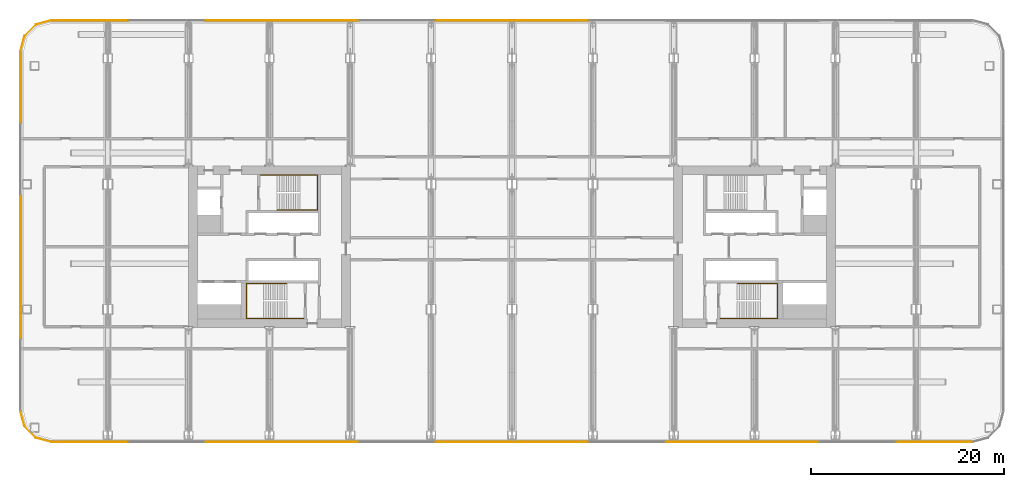
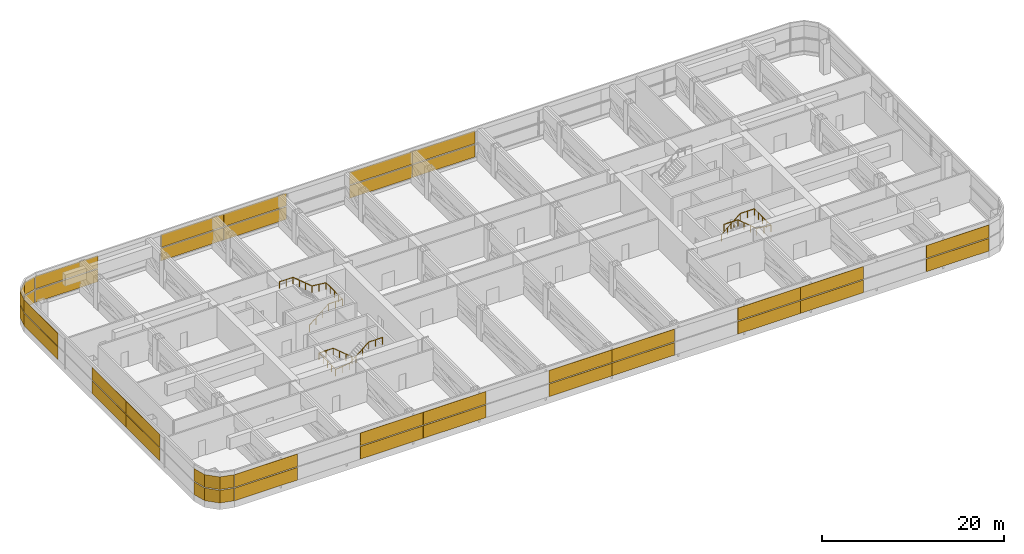
# One storey, part 29 of 30: 36 shading devices, 3 railings, 5 elements without a shape of their own.
"""IFC4 building model written with IfcOpenShell, lengths in metres."""

from ifc_helpers import new_model, si_unit, direction, frame, origin, origin_2d, place, context, subcontext, project, spatial, polyline, rectangle, circle, outline, extrude, material, layer, layer_set, type_object, element, aggregate, save


model = new_model("IFC4")

# Units and contexts
model_context = context("Model", 3, precision=1e-05, world=origin(), true_north=direction((0.0, 1.0)))
body_context = subcontext(model_context, "Body", "Model", "MODEL_VIEW")
ifc_project = project(units=[si_unit("LENGTHUNIT", "METRE"), si_unit("AREAUNIT", "SQUARE_METRE"), si_unit("VOLUMEUNIT", "CUBIC_METRE"), si_unit("PLANEANGLEUNIT", "RADIAN"), si_unit("MASSUNIT", "GRAM", prefix="KILO")], contexts=[model_context])

# Site, building, storey
site_placement = place(None, origin())
site = spatial("IfcSite", under=ifc_project, at=site_placement, CompositionType="ELEMENT")
building_placement = place(site_placement, origin())
building = spatial("IfcBuilding", under=site, at=building_placement, Name="Hakoniwa Tower and Hamabe Station Hall", CompositionType="ELEMENT")
storey_placement = place(building_placement, frame((0.0, 0.0, 64.60009765625)))
storey = spatial("IfcBuildingStorey", under=building, at=storey_placement, Name="L18", CompositionType="ELEMENT", Elevation=64.60009765625)

# Curtain wall, shading devices
ifc_material_1 = material(Name="Dark low-e laminated glass", Category="glass")
ifc_layer_1 = layer(ifc_material_1, 0.199951171875)
ifc_layer_set_1 = layer_set([ifc_layer_1], Name="CW-6 PLANT LOUVRE")
curtain_wall_type = type_object("IfcCurtainWallType", Name="CW-6 PLANT LOUVRE", PredefinedType="NOTDEFINED", material=ifc_layer_set_1)
curtain_wall_1_placement = place(storey_placement, origin())
curtain_wall_1 = element("IfcCurtainWall", 1, at=curtain_wall_1_placement, inside=storey, type_object=curtain_wall_type, Name="CW-6 curtain wall", PredefinedType="NOTDEFINED")
ifc_material_2 = material(Name="Aluminium 6063-T5 black anodised louvre", Category="aluminium")
ifc_layer_2 = layer(ifc_material_2, 0.06005859375)
ifc_layer_set_2 = layer_set([ifc_layer_2], Name="CW-6 LOUVRE UNIT")
shading_device_type = type_object("IfcShadingDeviceType", Name="CW-6 LOUVRE UNIT", PredefinedType="JALOUSIE", material=ifc_layer_set_2)
shading_device_1_placement = place(storey_placement, frame((3.986572265625, 23.535888671875, 0.349853515625), z_axis=(0.0, 0.0, 1.0), x_axis=(-1.0, 0.0, 0.0)))
shading_device_1 = element("IfcShadingDevice", 2, at=shading_device_1_placement, type_object=shading_device_type, Name="CW-6 louvre unit", PredefinedType="JALOUSIE", context=body_context, shape_type="SweptSolid", body=[
    extrude(rectangle(XDim=7.953369140625, YDim=0.06005859375, at=origin_2d()), origin(), (0.0, 0.0, 1.0), 1.68994140625),
])
shading_device_2_placement = place(storey_placement, frame((3.986572265625, 23.535888671875, 2.159912109375), z_axis=(0.0, 0.0, 1.0), x_axis=(-1.0, 0.0, 0.0)))
shading_device_2 = element("IfcShadingDevice", 3, at=shading_device_2_placement, type_object=shading_device_type, Name="CW-6 louvre unit", PredefinedType="JALOUSIE", context=body_context, shape_type="SweptSolid", body=[
    extrude(rectangle(XDim=7.953369140625, YDim=0.06005859375, at=origin_2d()), origin(), (0.0, 0.0, 1.0), 1.68994140625),
])
shading_device_3_placement = place(storey_placement, frame((-3.986572265625, 23.535888671875, 0.349853515625), z_axis=(0.0, 0.0, 1.0), x_axis=(-1.0, 0.0, 0.0)))
shading_device_3 = element("IfcShadingDevice", 4, at=shading_device_3_placement, type_object=shading_device_type, Name="CW-6 louvre unit", PredefinedType="JALOUSIE", context=body_context, shape_type="SweptSolid", body=[
    extrude(rectangle(XDim=7.953369140625, YDim=0.06005859375, at=origin_2d()), origin(), (0.0, 0.0, 1.0), 1.68994140625),
])
shading_device_4_placement = place(storey_placement, frame((-3.986572265625, 23.535888671875, 2.159912109375), z_axis=(0.0, 0.0, 1.0), x_axis=(-1.0, 0.0, 0.0)))
shading_device_4 = element("IfcShadingDevice", 5, at=shading_device_4_placement, type_object=shading_device_type, Name="CW-6 louvre unit", PredefinedType="JALOUSIE", context=body_context, shape_type="SweptSolid", body=[
    extrude(rectangle(XDim=7.953369140625, YDim=0.06005859375, at=origin_2d()), origin(), (0.0, 0.0, 1.0), 1.68994140625),
])
shading_device_5_placement = place(storey_placement, frame((-19.93310546875, 23.535888671875, 0.349853515625), z_axis=(0.0, 0.0, 1.0), x_axis=(-1.0, 0.0, 0.0)))
shading_device_5 = element("IfcShadingDevice", 6, at=shading_device_5_placement, type_object=shading_device_type, Name="CW-6 louvre unit", PredefinedType="JALOUSIE", context=body_context, shape_type="SweptSolid", body=[
    extrude(rectangle(XDim=7.953369140625, YDim=0.06005859375, at=origin_2d()), origin(), (0.0, 0.0, 1.0), 1.68994140625),
])
shading_device_6_placement = place(storey_placement, frame((-19.93310546875, 23.535888671875, 2.159912109375), z_axis=(0.0, 0.0, 1.0), x_axis=(-1.0, 0.0, 0.0)))
shading_device_6 = element("IfcShadingDevice", 7, at=shading_device_6_placement, type_object=shading_device_type, Name="CW-6 louvre unit", PredefinedType="JALOUSIE", context=body_context, shape_type="SweptSolid", body=[
    extrude(rectangle(XDim=7.953369140625, YDim=0.06005859375, at=origin_2d()), origin(), (0.0, 0.0, 1.0), 1.68994140625),
])
shading_device_7_placement = place(storey_placement, frame((-27.906494140625, 23.535888671875, 0.349853515625), z_axis=(0.0, 0.0, 1.0), x_axis=(-1.0, 0.0, 0.0)))
shading_device_7 = element("IfcShadingDevice", 8, at=shading_device_7_placement, type_object=shading_device_type, Name="CW-6 louvre unit", PredefinedType="JALOUSIE", context=body_context, shape_type="SweptSolid", body=[
    extrude(rectangle(XDim=7.953369140625, YDim=0.06005859375, at=origin_2d()), origin(), (0.0, 0.0, 1.0), 1.68994140625),
])
shading_device_8_placement = place(storey_placement, frame((-27.906494140625, 23.535888671875, 2.159912109375), z_axis=(0.0, 0.0, 1.0), x_axis=(-1.0, 0.0, 0.0)))
shading_device_8 = element("IfcShadingDevice", 9, at=shading_device_8_placement, type_object=shading_device_type, Name="CW-6 louvre unit", PredefinedType="JALOUSIE", context=body_context, shape_type="SweptSolid", body=[
    extrude(rectangle(XDim=7.953369140625, YDim=0.06005859375, at=origin_2d()), origin(), (0.0, 0.0, 1.0), 1.68994140625),
])
shading_device_9_placement = place(storey_placement, frame((-43.852783203125, 23.535888671875, 0.349853515625), z_axis=(0.0, 0.0, 1.0), x_axis=(-1.0, 0.0, 0.0)))
shading_device_9 = element("IfcShadingDevice", 10, at=shading_device_9_placement, type_object=shading_device_type, Name="CW-6 louvre unit", PredefinedType="JALOUSIE", context=body_context, shape_type="SweptSolid", body=[
    extrude(rectangle(XDim=7.953369140625, YDim=0.06005859375, at=origin_2d()), origin(), (0.0, 0.0, 1.0), 1.68994140625),
])
shading_device_10_placement = place(storey_placement, frame((-43.852783203125, 23.535888671875, 2.159912109375), z_axis=(0.0, 0.0, 1.0), x_axis=(-1.0, 0.0, 0.0)))
shading_device_10 = element("IfcShadingDevice", 11, at=shading_device_10_placement, type_object=shading_device_type, Name="CW-6 louvre unit", PredefinedType="JALOUSIE", context=body_context, shape_type="SweptSolid", body=[
    extrude(rectangle(XDim=7.953369140625, YDim=0.06005859375, at=origin_2d()), origin(), (0.0, 0.0, 1.0), 1.68994140625),
])
aggregate(curtain_wall_1, [shading_device_1, shading_device_2, shading_device_3, shading_device_4, shading_device_5, shading_device_6, shading_device_7, shading_device_8, shading_device_9, shading_device_10])

curtain_wall_2_placement = place(storey_placement, origin())
curtain_wall_2 = element("IfcCurtainWall", 12, at=curtain_wall_2_placement, inside=storey, type_object=curtain_wall_type, Name="CW-6 curtain wall", PredefinedType="NOTDEFINED")
shading_device_11_placement = place(storey_placement, frame((0.0, 0.0, 0.349853515625)))
shading_device_11 = element("IfcShadingDevice", 13, at=shading_device_11_placement, type_object=shading_device_type, Name="CW-6 curved corner unit", PredefinedType="JALOUSIE", context=body_context, shape_type="SweptSolid", body=[
    extrude(outline(polyline([(-47.878173828125, 23.53955078125), (-49.455322265625, 23.116943359375), (-50.6669921875, 21.9052734375), (-51.089599609375, 20.328125), (-51.0625, 20.32080078125), (-50.641845703125, 21.890869140625), (-49.44091796875, 23.092041015625), (-47.870849609375, 23.5126953125), (-47.878173828125, 23.53955078125)])), origin(), (0.0, 0.0, 1.0), 1.68994140625),
])
shading_device_12_placement = place(storey_placement, frame((0.0, 0.0, 2.159912109375)))
shading_device_12 = element("IfcShadingDevice", 14, at=shading_device_12_placement, type_object=shading_device_type, Name="CW-6 curved corner unit", PredefinedType="JALOUSIE", context=body_context, shape_type="SweptSolid", body=[
    extrude(outline(polyline([(-47.878173828125, 23.53955078125), (-49.455322265625, 23.116943359375), (-50.6669921875, 21.9052734375), (-51.089599609375, 20.328125), (-51.0625, 20.32080078125), (-50.641845703125, 21.890869140625), (-49.44091796875, 23.092041015625), (-47.870849609375, 23.5126953125), (-47.878173828125, 23.53955078125)])), origin(), (0.0, 0.0, 1.0), 1.68994140625),
])
aggregate(curtain_wall_2, [shading_device_11, shading_device_12])

curtain_wall_3_placement = place(storey_placement, origin())
curtain_wall_3 = element("IfcCurtainWall", 15, at=curtain_wall_3_placement, inside=storey, type_object=curtain_wall_type, Name="CW-6 curtain wall", PredefinedType="NOTDEFINED")
shading_device_13_placement = place(storey_placement, frame((-51.0859375, 16.556640625, 0.349853515625), z_axis=(0.0, 0.0, 1.0), x_axis=(0.0, -1.0, 0.0)))
shading_device_13 = element("IfcShadingDevice", 16, at=shading_device_13_placement, type_object=shading_device_type, Name="CW-6 louvre unit", PredefinedType="JALOUSIE", context=body_context, shape_type="SweptSolid", body=[
    extrude(rectangle(XDim=7.44580078125, YDim=0.06005859375, at=origin_2d()), origin(), (0.0, 0.0, 1.0), 1.68994140625),
])
shading_device_14_placement = place(storey_placement, frame((-51.0859375, 16.556640625, 2.159912109375), z_axis=(0.0, 0.0, 1.0), x_axis=(0.0, -1.0, 0.0)))
shading_device_14 = element("IfcShadingDevice", 17, at=shading_device_14_placement, type_object=shading_device_type, Name="CW-6 louvre unit", PredefinedType="JALOUSIE", context=body_context, shape_type="SweptSolid", body=[
    extrude(rectangle(XDim=7.44580078125, YDim=0.06005859375, at=origin_2d()), origin(), (0.0, 0.0, 1.0), 1.68994140625),
])
shading_device_15_placement = place(storey_placement, frame((-51.0859375, 1.625, 0.349853515625), z_axis=(0.0, 0.0, 1.0), x_axis=(0.0, -1.0, 0.0)))
shading_device_15 = element("IfcShadingDevice", 18, at=shading_device_15_placement, type_object=shading_device_type, Name="CW-6 louvre unit", PredefinedType="JALOUSIE", context=body_context, shape_type="SweptSolid", body=[
    extrude(rectangle(XDim=7.44580078125, YDim=0.06005859375, at=origin_2d()), origin(), (0.0, 0.0, 1.0), 1.68994140625),
])
shading_device_16_placement = place(storey_placement, frame((-51.0859375, 1.625, 2.159912109375), z_axis=(0.0, 0.0, 1.0), x_axis=(0.0, -1.0, 0.0)))
shading_device_16 = element("IfcShadingDevice", 19, at=shading_device_16_placement, type_object=shading_device_type, Name="CW-6 louvre unit", PredefinedType="JALOUSIE", context=body_context, shape_type="SweptSolid", body=[
    extrude(rectangle(XDim=7.44580078125, YDim=0.06005859375, at=origin_2d()), origin(), (0.0, 0.0, 1.0), 1.68994140625),
])
shading_device_17_placement = place(storey_placement, frame((-51.0859375, -5.8408203125, 0.349853515625), z_axis=(0.0, 0.0, 1.0), x_axis=(0.0, -1.0, 0.0)))
shading_device_17 = element("IfcShadingDevice", 20, at=shading_device_17_placement, type_object=shading_device_type, Name="CW-6 louvre unit", PredefinedType="JALOUSIE", context=body_context, shape_type="SweptSolid", body=[
    extrude(rectangle(XDim=7.44580078125, YDim=0.06005859375, at=origin_2d()), origin(), (0.0, 0.0, 1.0), 1.68994140625),
])
shading_device_18_placement = place(storey_placement, frame((-51.0859375, -5.8408203125, 2.159912109375), z_axis=(0.0, 0.0, 1.0), x_axis=(0.0, -1.0, 0.0)))
shading_device_18 = element("IfcShadingDevice", 21, at=shading_device_18_placement, type_object=shading_device_type, Name="CW-6 louvre unit", PredefinedType="JALOUSIE", context=body_context, shape_type="SweptSolid", body=[
    extrude(rectangle(XDim=7.44580078125, YDim=0.06005859375, at=origin_2d()), origin(), (0.0, 0.0, 1.0), 1.68994140625),
])
aggregate(curtain_wall_3, [shading_device_13, shading_device_14, shading_device_15, shading_device_16, shading_device_17, shading_device_18])

curtain_wall_4_placement = place(storey_placement, origin())
curtain_wall_4 = element("IfcCurtainWall", 22, at=curtain_wall_4_placement, inside=storey, type_object=curtain_wall_type, Name="CW-6 curtain wall", PredefinedType="NOTDEFINED")
shading_device_19_placement = place(storey_placement, frame((0.0, 0.0, 0.349853515625)))
shading_device_19 = element("IfcShadingDevice", 23, at=shading_device_19_placement, type_object=shading_device_type, Name="CW-6 curved corner unit", PredefinedType="JALOUSIE", context=body_context, shape_type="SweptSolid", body=[
    extrude(outline(polyline([(-51.089599609375, -17.078125), (-50.6669921875, -18.6552734375), (-49.455322265625, -19.866943359375), (-47.878173828125, -20.28955078125), (-47.870849609375, -20.2626953125), (-49.44091796875, -19.842041015625), (-50.641845703125, -18.640869140625), (-51.0625, -17.07080078125), (-51.089599609375, -17.078125)])), origin(), (0.0, 0.0, 1.0), 1.68994140625),
])
shading_device_20_placement = place(storey_placement, frame((0.0, 0.0, 2.159912109375)))
shading_device_20 = element("IfcShadingDevice", 24, at=shading_device_20_placement, type_object=shading_device_type, Name="CW-6 curved corner unit", PredefinedType="JALOUSIE", context=body_context, shape_type="SweptSolid", body=[
    extrude(outline(polyline([(-51.089599609375, -17.078125), (-50.6669921875, -18.6552734375), (-49.455322265625, -19.866943359375), (-47.878173828125, -20.28955078125), (-47.870849609375, -20.2626953125), (-49.44091796875, -19.842041015625), (-50.641845703125, -18.640869140625), (-51.0625, -17.07080078125), (-51.089599609375, -17.078125)])), origin(), (0.0, 0.0, 1.0), 1.68994140625),
])
aggregate(curtain_wall_4, [shading_device_19, shading_device_20])

curtain_wall_5_placement = place(storey_placement, origin())
curtain_wall_5 = element("IfcCurtainWall", 25, at=curtain_wall_5_placement, inside=storey, type_object=curtain_wall_type, Name="CW-6 curtain wall", PredefinedType="NOTDEFINED")
shading_device_21_placement = place(storey_placement, frame((-43.852783203125, -20.285888671875, 0.349853515625), z_axis=(0.0, 0.0, 1.0), x_axis=(1.0, 0.0, 0.0)))
shading_device_21 = element("IfcShadingDevice", 26, at=shading_device_21_placement, type_object=shading_device_type, Name="CW-6 louvre unit", PredefinedType="JALOUSIE", context=body_context, shape_type="SweptSolid", body=[
    extrude(rectangle(XDim=7.953369140625, YDim=0.06005859375, at=origin_2d()), origin(), (0.0, 0.0, 1.0), 1.68994140625),
])
shading_device_22_placement = place(storey_placement, frame((-43.852783203125, -20.285888671875, 2.159912109375), z_axis=(0.0, 0.0, 1.0), x_axis=(1.0, 0.0, 0.0)))
shading_device_22 = element("IfcShadingDevice", 27, at=shading_device_22_placement, type_object=shading_device_type, Name="CW-6 louvre unit", PredefinedType="JALOUSIE", context=body_context, shape_type="SweptSolid", body=[
    extrude(rectangle(XDim=7.953369140625, YDim=0.06005859375, at=origin_2d()), origin(), (0.0, 0.0, 1.0), 1.68994140625),
])
shading_device_23_placement = place(storey_placement, frame((-27.906494140625, -20.285888671875, 0.349853515625), z_axis=(0.0, 0.0, 1.0), x_axis=(1.0, 0.0, 0.0)))
shading_device_23 = element("IfcShadingDevice", 28, at=shading_device_23_placement, type_object=shading_device_type, Name="CW-6 louvre unit", PredefinedType="JALOUSIE", context=body_context, shape_type="SweptSolid", body=[
    extrude(rectangle(XDim=7.953369140625, YDim=0.06005859375, at=origin_2d()), origin(), (0.0, 0.0, 1.0), 1.68994140625),
])
shading_device_24_placement = place(storey_placement, frame((-27.906494140625, -20.285888671875, 2.159912109375), z_axis=(0.0, 0.0, 1.0), x_axis=(1.0, 0.0, 0.0)))
shading_device_24 = element("IfcShadingDevice", 29, at=shading_device_24_placement, type_object=shading_device_type, Name="CW-6 louvre unit", PredefinedType="JALOUSIE", context=body_context, shape_type="SweptSolid", body=[
    extrude(rectangle(XDim=7.953369140625, YDim=0.06005859375, at=origin_2d()), origin(), (0.0, 0.0, 1.0), 1.68994140625),
])
shading_device_25_placement = place(storey_placement, frame((-19.93310546875, -20.285888671875, 0.349853515625), z_axis=(0.0, 0.0, 1.0), x_axis=(1.0, 0.0, 0.0)))
shading_device_25 = element("IfcShadingDevice", 30, at=shading_device_25_placement, type_object=shading_device_type, Name="CW-6 louvre unit", PredefinedType="JALOUSIE", context=body_context, shape_type="SweptSolid", body=[
    extrude(rectangle(XDim=7.953369140625, YDim=0.06005859375, at=origin_2d()), origin(), (0.0, 0.0, 1.0), 1.68994140625),
])
shading_device_26_placement = place(storey_placement, frame((-19.93310546875, -20.285888671875, 2.159912109375), z_axis=(0.0, 0.0, 1.0), x_axis=(1.0, 0.0, 0.0)))
shading_device_26 = element("IfcShadingDevice", 31, at=shading_device_26_placement, type_object=shading_device_type, Name="CW-6 louvre unit", PredefinedType="JALOUSIE", context=body_context, shape_type="SweptSolid", body=[
    extrude(rectangle(XDim=7.953369140625, YDim=0.06005859375, at=origin_2d()), origin(), (0.0, 0.0, 1.0), 1.68994140625),
])
shading_device_27_placement = place(storey_placement, frame((-3.986572265625, -20.285888671875, 0.349853515625), z_axis=(0.0, 0.0, 1.0), x_axis=(1.0, 0.0, 0.0)))
shading_device_27 = element("IfcShadingDevice", 32, at=shading_device_27_placement, type_object=shading_device_type, Name="CW-6 louvre unit", PredefinedType="JALOUSIE", context=body_context, shape_type="SweptSolid", body=[
    extrude(rectangle(XDim=7.953369140625, YDim=0.06005859375, at=origin_2d()), origin(), (0.0, 0.0, 1.0), 1.68994140625),
])
shading_device_28_placement = place(storey_placement, frame((-3.986572265625, -20.285888671875, 2.159912109375), z_axis=(0.0, 0.0, 1.0), x_axis=(1.0, 0.0, 0.0)))
shading_device_28 = element("IfcShadingDevice", 33, at=shading_device_28_placement, type_object=shading_device_type, Name="CW-6 louvre unit", PredefinedType="JALOUSIE", context=body_context, shape_type="SweptSolid", body=[
    extrude(rectangle(XDim=7.953369140625, YDim=0.06005859375, at=origin_2d()), origin(), (0.0, 0.0, 1.0), 1.68994140625),
])
shading_device_29_placement = place(storey_placement, frame((3.986572265625, -20.285888671875, 0.349853515625), z_axis=(0.0, 0.0, 1.0), x_axis=(1.0, 0.0, 0.0)))
shading_device_29 = element("IfcShadingDevice", 34, at=shading_device_29_placement, type_object=shading_device_type, Name="CW-6 louvre unit", PredefinedType="JALOUSIE", context=body_context, shape_type="SweptSolid", body=[
    extrude(rectangle(XDim=7.953369140625, YDim=0.06005859375, at=origin_2d()), origin(), (0.0, 0.0, 1.0), 1.68994140625),
])
shading_device_30_placement = place(storey_placement, frame((3.986572265625, -20.285888671875, 2.159912109375), z_axis=(0.0, 0.0, 1.0), x_axis=(1.0, 0.0, 0.0)))
shading_device_30 = element("IfcShadingDevice", 35, at=shading_device_30_placement, type_object=shading_device_type, Name="CW-6 louvre unit", PredefinedType="JALOUSIE", context=body_context, shape_type="SweptSolid", body=[
    extrude(rectangle(XDim=7.953369140625, YDim=0.06005859375, at=origin_2d()), origin(), (0.0, 0.0, 1.0), 1.68994140625),
])
shading_device_31_placement = place(storey_placement, frame((19.93310546875, -20.285888671875, 0.349853515625), z_axis=(0.0, 0.0, 1.0), x_axis=(1.0, 0.0, 0.0)))
shading_device_31 = element("IfcShadingDevice", 36, at=shading_device_31_placement, type_object=shading_device_type, Name="CW-6 louvre unit", PredefinedType="JALOUSIE", context=body_context, shape_type="SweptSolid", body=[
    extrude(rectangle(XDim=7.953369140625, YDim=0.06005859375, at=origin_2d()), origin(), (0.0, 0.0, 1.0), 1.68994140625),
])
shading_device_32_placement = place(storey_placement, frame((19.93310546875, -20.285888671875, 2.159912109375), z_axis=(0.0, 0.0, 1.0), x_axis=(1.0, 0.0, 0.0)))
shading_device_32 = element("IfcShadingDevice", 37, at=shading_device_32_placement, type_object=shading_device_type, Name="CW-6 louvre unit", PredefinedType="JALOUSIE", context=body_context, shape_type="SweptSolid", body=[
    extrude(rectangle(XDim=7.953369140625, YDim=0.06005859375, at=origin_2d()), origin(), (0.0, 0.0, 1.0), 1.68994140625),
])
shading_device_33_placement = place(storey_placement, frame((27.906494140625, -20.285888671875, 0.349853515625), z_axis=(0.0, 0.0, 1.0), x_axis=(1.0, 0.0, 0.0)))
shading_device_33 = element("IfcShadingDevice", 38, at=shading_device_33_placement, type_object=shading_device_type, Name="CW-6 louvre unit", PredefinedType="JALOUSIE", context=body_context, shape_type="SweptSolid", body=[
    extrude(rectangle(XDim=7.953369140625, YDim=0.06005859375, at=origin_2d()), origin(), (0.0, 0.0, 1.0), 1.68994140625),
])
shading_device_34_placement = place(storey_placement, frame((27.906494140625, -20.285888671875, 2.159912109375), z_axis=(0.0, 0.0, 1.0), x_axis=(1.0, 0.0, 0.0)))
shading_device_34 = element("IfcShadingDevice", 39, at=shading_device_34_placement, type_object=shading_device_type, Name="CW-6 louvre unit", PredefinedType="JALOUSIE", context=body_context, shape_type="SweptSolid", body=[
    extrude(rectangle(XDim=7.953369140625, YDim=0.06005859375, at=origin_2d()), origin(), (0.0, 0.0, 1.0), 1.68994140625),
])
shading_device_35_placement = place(storey_placement, frame((43.852783203125, -20.285888671875, 0.349853515625), z_axis=(0.0, 0.0, 1.0), x_axis=(1.0, 0.0, 0.0)))
shading_device_35 = element("IfcShadingDevice", 40, at=shading_device_35_placement, type_object=shading_device_type, Name="CW-6 louvre unit", PredefinedType="JALOUSIE", context=body_context, shape_type="SweptSolid", body=[
    extrude(rectangle(XDim=7.953369140625, YDim=0.06005859375, at=origin_2d()), origin(), (0.0, 0.0, 1.0), 1.68994140625),
])
shading_device_36_placement = place(storey_placement, frame((43.852783203125, -20.285888671875, 2.159912109375), z_axis=(0.0, 0.0, 1.0), x_axis=(1.0, 0.0, 0.0)))
shading_device_36 = element("IfcShadingDevice", 41, at=shading_device_36_placement, type_object=shading_device_type, Name="CW-6 louvre unit", PredefinedType="JALOUSIE", context=body_context, shape_type="SweptSolid", body=[
    extrude(rectangle(XDim=7.953369140625, YDim=0.06005859375, at=origin_2d()), origin(), (0.0, 0.0, 1.0), 1.68994140625),
])
aggregate(curtain_wall_5, [shading_device_21, shading_device_22, shading_device_23, shading_device_24, shading_device_25, shading_device_26, shading_device_27, shading_device_28, shading_device_29, shading_device_30, shading_device_31, shading_device_32, shading_device_33, shading_device_34, shading_device_35, shading_device_36])

# Railings
ifc_material_3 = material(Name="Stainless steel SUS304", Category="steel")
railing_type = type_object("IfcRailingType", Name="STAIR HANDRAIL 900", PredefinedType="HANDRAIL", material=ifc_material_3)
railing_1_placement = place(storey_placement, frame((-24.39990234375, 3.81005859375, 0.199951171875)))
element("IfcRailing", 42, at=railing_1_placement, inside=storey, type_object=railing_type, Name="Handrail ST-1 L18 1", PredefinedType="HANDRAIL", context=body_context, shape_type="SweptSolid", body=[
    extrude(circle(Radius=0.02392578125, at=origin_2d()), frame((0.0, 0.0, 0.8759765625), z_axis=(0.768208468069, 0.0, 0.640199773186), x_axis=(0.0, 1.0, 0.0)), (0.0, 0.0, 1.0), 3.1240234375),
    extrude(circle(Radius=0.02392578125, at=origin_2d()), frame((2.39990234375, 0.0, 2.8759765625), z_axis=(1.0, 0.0, 0.0), x_axis=(0.0, 1.0, 0.0)), (0.0, 0.0, 1.0), 1.7900390625),
    extrude(circle(Radius=0.02392578125, at=origin_2d()), frame((4.18994140625, 0.0, 2.8759765625), z_axis=(0.0, 1.0, 0.0), x_axis=(-1.0, 0.0, 0.0)), (0.0, 0.0, 1.0), 3.6298828125),
    extrude(circle(Radius=0.02392578125, at=origin_2d()), frame((4.18994140625, 3.6298828125, 2.8759765625), z_axis=(-0.993819098592, 0.0, 0.111011707821), x_axis=(0.0, -1.0, 0.0)), (0.0, 0.0, 1.0), 1.80126953125),
    extrude(circle(Radius=0.02392578125, at=origin_2d()), frame((2.39990234375, 3.6298828125, 3.07568359375), z_axis=(-0.768208468069, 0.0, 0.640199773186), x_axis=(0.0, -1.0, 0.0)), (0.0, 0.0, 1.0), 3.1240234375),
    extrude(circle(Radius=0.02392578125, at=origin_2d()), frame((0.0, 3.6298828125, 5.07568359375), z_axis=(-1.0, 0.0, 0.0), x_axis=(0.0, -1.0, 0.0)), (0.0, 0.0, 1.0), 1.739990234375),
    extrude(circle(Radius=0.02099609375, at=origin_2d()), origin(), (0.0, 0.0, 1.0), 0.851806640625),
    extrude(circle(Radius=0.02099609375, at=origin_2d()), frame((0.800048828125, 0.0, 0.666748046875)), (0.0, 0.0, 1.0), 0.851806640625),
    extrude(circle(Radius=0.02099609375, at=origin_2d()), frame((1.599853515625, 0.0, 1.333251953125)), (0.0, 0.0, 1.0), 0.851806640625),
    extrude(circle(Radius=0.02099609375, at=origin_2d()), frame((2.39990234375, 0.0, 2.0)), (0.0, 0.0, 1.0), 0.851806640625),
    extrude(circle(Radius=0.02099609375, at=origin_2d()), frame((3.294921875, 0.0, 2.0)), (0.0, 0.0, 1.0), 0.851806640625),
    extrude(circle(Radius=0.02099609375, at=origin_2d()), frame((4.18994140625, 0.0, 2.0)), (0.0, 0.0, 1.0), 0.851806640625),
    extrude(circle(Radius=0.02099609375, at=origin_2d()), frame((4.18994140625, 0.907470703125, 2.0)), (0.0, 0.0, 1.0), 0.851806640625),
    extrude(circle(Radius=0.02099609375, at=origin_2d()), frame((4.18994140625, 1.81494140625, 2.0)), (0.0, 0.0, 1.0), 0.851806640625),
    extrude(circle(Radius=0.02099609375, at=origin_2d()), frame((4.18994140625, 2.722412109375, 2.0)), (0.0, 0.0, 1.0), 0.851806640625),
    extrude(circle(Radius=0.02099609375, at=origin_2d()), frame((4.18994140625, 3.6298828125, 2.0)), (0.0, 0.0, 1.0), 0.851806640625),
    extrude(circle(Radius=0.02099609375, at=origin_2d()), frame((3.294921875, 3.6298828125, 2.10009765625)), (0.0, 0.0, 1.0), 0.851806640625),
    extrude(circle(Radius=0.02099609375, at=origin_2d()), frame((2.39990234375, 3.6298828125, 2.199951171875)), (0.0, 0.0, 1.0), 0.851806640625),
    extrude(circle(Radius=0.02099609375, at=origin_2d()), frame((1.599853515625, 3.6298828125, 2.86669921875)), (0.0, 0.0, 1.0), 0.851806640625),
    extrude(circle(Radius=0.02099609375, at=origin_2d()), frame((0.800048828125, 3.6298828125, 3.533203125)), (0.0, 0.0, 1.0), 0.851806640625),
    extrude(circle(Radius=0.02099609375, at=origin_2d()), frame((0.0, 3.6298828125, 4.199951171875)), (0.0, 0.0, 1.0), 0.851806640625),
    extrude(circle(Radius=0.02099609375, at=origin_2d()), frame((-0.8701171875, 3.6298828125, 4.199951171875)), (0.0, 0.0, 1.0), 0.851806640625),
    extrude(circle(Radius=0.02099609375, at=origin_2d()), frame((-1.739990234375, 3.6298828125, 4.199951171875)), (0.0, 0.0, 1.0), 0.851806640625),
])
railing_2_placement = place(storey_placement, frame((-23.39990234375, -3.81005859375, 0.199951171875)))
element("IfcRailing", 43, at=railing_2_placement, inside=storey, type_object=railing_type, Name="Handrail ST-2 L18 1", PredefinedType="HANDRAIL", context=body_context, shape_type="SweptSolid", body=[
    extrude(circle(Radius=0.02392578125, at=origin_2d()), frame((0.0, 0.0, 0.8759765625), z_axis=(-0.76824049516, 0.0, 0.640161340286), x_axis=(0.0, -1.0, 0.0)), (0.0, 0.0, 1.0), 3.124267578125),
    extrude(circle(Radius=0.02392578125, at=origin_2d()), frame((-2.400146484375, 0.0, 2.8759765625), z_axis=(-1.0, 0.0, 0.0), x_axis=(0.0, -1.0, 0.0)), (0.0, 0.0, 1.0), 1.7900390625),
    extrude(circle(Radius=0.02392578125, at=origin_2d()), frame((-4.190185546875, 0.0, 2.8759765625), z_axis=(0.0, -1.0, 0.0), x_axis=(1.0, 0.0, 0.0)), (0.0, 0.0, 1.0), 3.6298828125),
    extrude(circle(Radius=0.02392578125, at=origin_2d()), frame((-4.190185546875, -3.6298828125, 2.8759765625), z_axis=(0.993819098592, 0.0, 0.111011707821), x_axis=(0.0, 1.0, 0.0)), (0.0, 0.0, 1.0), 1.80126953125),
    extrude(circle(Radius=0.02392578125, at=origin_2d()), frame((-2.400146484375, -3.6298828125, 3.07568359375), z_axis=(0.76824049516, 0.0, 0.640161340286), x_axis=(0.0, 1.0, 0.0)), (0.0, 0.0, 1.0), 3.124267578125),
    extrude(circle(Radius=0.02392578125, at=origin_2d()), frame((0.0, -3.6298828125, 5.07568359375), z_axis=(1.0, 0.0, 0.0), x_axis=(0.0, 1.0, 0.0)), (0.0, 0.0, 1.0), 1.739990234375),
    extrude(circle(Radius=0.02099609375, at=origin_2d()), origin(), (0.0, 0.0, 1.0), 0.851806640625),
    extrude(circle(Radius=0.02099609375, at=origin_2d()), frame((-0.800048828125, 0.0, 0.666748046875)), (0.0, 0.0, 1.0), 0.851806640625),
    extrude(circle(Radius=0.02099609375, at=origin_2d()), frame((-1.60009765625, 0.0, 1.333251953125)), (0.0, 0.0, 1.0), 0.851806640625),
    extrude(circle(Radius=0.02099609375, at=origin_2d()), frame((-2.400146484375, 0.0, 2.0)), (0.0, 0.0, 1.0), 0.851806640625),
    extrude(circle(Radius=0.02099609375, at=origin_2d()), frame((-3.295166015625, 0.0, 2.0)), (0.0, 0.0, 1.0), 0.851806640625),
    extrude(circle(Radius=0.02099609375, at=origin_2d()), frame((-4.190185546875, 0.0, 2.0)), (0.0, 0.0, 1.0), 0.851806640625),
    extrude(circle(Radius=0.02099609375, at=origin_2d()), frame((-4.190185546875, -0.907470703125, 2.0)), (0.0, 0.0, 1.0), 0.851806640625),
    extrude(circle(Radius=0.02099609375, at=origin_2d()), frame((-4.190185546875, -1.81494140625, 2.0)), (0.0, 0.0, 1.0), 0.851806640625),
    extrude(circle(Radius=0.02099609375, at=origin_2d()), frame((-4.190185546875, -2.722412109375, 2.0)), (0.0, 0.0, 1.0), 0.851806640625),
    extrude(circle(Radius=0.02099609375, at=origin_2d()), frame((-4.190185546875, -3.6298828125, 2.0)), (0.0, 0.0, 1.0), 0.851806640625),
    extrude(circle(Radius=0.02099609375, at=origin_2d()), frame((-3.295166015625, -3.6298828125, 2.10009765625)), (0.0, 0.0, 1.0), 0.851806640625),
    extrude(circle(Radius=0.02099609375, at=origin_2d()), frame((-2.400146484375, -3.6298828125, 2.199951171875)), (0.0, 0.0, 1.0), 0.851806640625),
    extrude(circle(Radius=0.02099609375, at=origin_2d()), frame((-1.60009765625, -3.6298828125, 2.86669921875)), (0.0, 0.0, 1.0), 0.851806640625),
    extrude(circle(Radius=0.02099609375, at=origin_2d()), frame((-0.800048828125, -3.6298828125, 3.533203125)), (0.0, 0.0, 1.0), 0.851806640625),
    extrude(circle(Radius=0.02099609375, at=origin_2d()), frame((0.0, -3.6298828125, 4.199951171875)), (0.0, 0.0, 1.0), 0.851806640625),
    extrude(circle(Radius=0.02099609375, at=origin_2d()), frame((0.8701171875, -3.6298828125, 4.199951171875)), (0.0, 0.0, 1.0), 0.851806640625),
    extrude(circle(Radius=0.02099609375, at=origin_2d()), frame((1.739990234375, -3.6298828125, 4.199951171875)), (0.0, 0.0, 1.0), 0.851806640625),
])
railing_3_placement = place(storey_placement, frame((23.39990234375, -3.81005859375, 0.199951171875)))
element("IfcRailing", 44, at=railing_3_placement, inside=storey, type_object=railing_type, Name="Handrail ST-4 L18 1", PredefinedType="HANDRAIL", context=body_context, shape_type="SweptSolid", body=[
    extrude(circle(Radius=0.02392578125, at=origin_2d()), frame((0.0, 0.0, 0.8759765625), z_axis=(0.76824049516, 0.0, 0.640161340286), x_axis=(0.0, 1.0, 0.0)), (0.0, 0.0, 1.0), 3.124267578125),
    extrude(circle(Radius=0.02392578125, at=origin_2d()), frame((2.400146484375, 0.0, 2.8759765625), z_axis=(1.0, 0.0, 0.0), x_axis=(0.0, 1.0, 0.0)), (0.0, 0.0, 1.0), 1.7900390625),
    extrude(circle(Radius=0.02392578125, at=origin_2d()), frame((4.190185546875, 0.0, 2.8759765625), z_axis=(0.0, -1.0, 0.0), x_axis=(1.0, 0.0, 0.0)), (0.0, 0.0, 1.0), 3.6298828125),
    extrude(circle(Radius=0.02392578125, at=origin_2d()), frame((4.190185546875, -3.6298828125, 2.8759765625), z_axis=(-0.993819098592, 0.0, 0.111011707821), x_axis=(0.0, -1.0, 0.0)), (0.0, 0.0, 1.0), 1.80126953125),
    extrude(circle(Radius=0.02392578125, at=origin_2d()), frame((2.400146484375, -3.6298828125, 3.07568359375), z_axis=(-0.76824049516, 0.0, 0.640161340286), x_axis=(0.0, -1.0, 0.0)), (0.0, 0.0, 1.0), 3.124267578125),
    extrude(circle(Radius=0.02392578125, at=origin_2d()), frame((0.0, -3.6298828125, 5.07568359375), z_axis=(-1.0, 0.0, 0.0), x_axis=(0.0, -1.0, 0.0)), (0.0, 0.0, 1.0), 1.739990234375),
    extrude(circle(Radius=0.02099609375, at=origin_2d()), origin(), (0.0, 0.0, 1.0), 0.851806640625),
    extrude(circle(Radius=0.02099609375, at=origin_2d()), frame((0.800048828125, 0.0, 0.666748046875)), (0.0, 0.0, 1.0), 0.851806640625),
    extrude(circle(Radius=0.02099609375, at=origin_2d()), frame((1.60009765625, 0.0, 1.333251953125)), (0.0, 0.0, 1.0), 0.851806640625),
    extrude(circle(Radius=0.02099609375, at=origin_2d()), frame((2.400146484375, 0.0, 2.0)), (0.0, 0.0, 1.0), 0.851806640625),
    extrude(circle(Radius=0.02099609375, at=origin_2d()), frame((3.295166015625, 0.0, 2.0)), (0.0, 0.0, 1.0), 0.851806640625),
    extrude(circle(Radius=0.02099609375, at=origin_2d()), frame((4.190185546875, 0.0, 2.0)), (0.0, 0.0, 1.0), 0.851806640625),
    extrude(circle(Radius=0.02099609375, at=origin_2d()), frame((4.190185546875, -0.907470703125, 2.0)), (0.0, 0.0, 1.0), 0.851806640625),
    extrude(circle(Radius=0.02099609375, at=origin_2d()), frame((4.190185546875, -1.81494140625, 2.0)), (0.0, 0.0, 1.0), 0.851806640625),
    extrude(circle(Radius=0.02099609375, at=origin_2d()), frame((4.190185546875, -2.722412109375, 2.0)), (0.0, 0.0, 1.0), 0.851806640625),
    extrude(circle(Radius=0.02099609375, at=origin_2d()), frame((4.190185546875, -3.6298828125, 2.0)), (0.0, 0.0, 1.0), 0.851806640625),
    extrude(circle(Radius=0.02099609375, at=origin_2d()), frame((3.295166015625, -3.6298828125, 2.10009765625)), (0.0, 0.0, 1.0), 0.851806640625),
    extrude(circle(Radius=0.02099609375, at=origin_2d()), frame((2.400146484375, -3.6298828125, 2.199951171875)), (0.0, 0.0, 1.0), 0.851806640625),
    extrude(circle(Radius=0.02099609375, at=origin_2d()), frame((1.60009765625, -3.6298828125, 2.86669921875)), (0.0, 0.0, 1.0), 0.851806640625),
    extrude(circle(Radius=0.02099609375, at=origin_2d()), frame((0.800048828125, -3.6298828125, 3.533203125)), (0.0, 0.0, 1.0), 0.851806640625),
    extrude(circle(Radius=0.02099609375, at=origin_2d()), frame((0.0, -3.6298828125, 4.199951171875)), (0.0, 0.0, 1.0), 0.851806640625),
    extrude(circle(Radius=0.02099609375, at=origin_2d()), frame((-0.8701171875, -3.6298828125, 4.199951171875)), (0.0, 0.0, 1.0), 0.851806640625),
    extrude(circle(Radius=0.02099609375, at=origin_2d()), frame((-1.739990234375, -3.6298828125, 4.199951171875)), (0.0, 0.0, 1.0), 0.851806640625),
])

save(model, "model.ifc")
